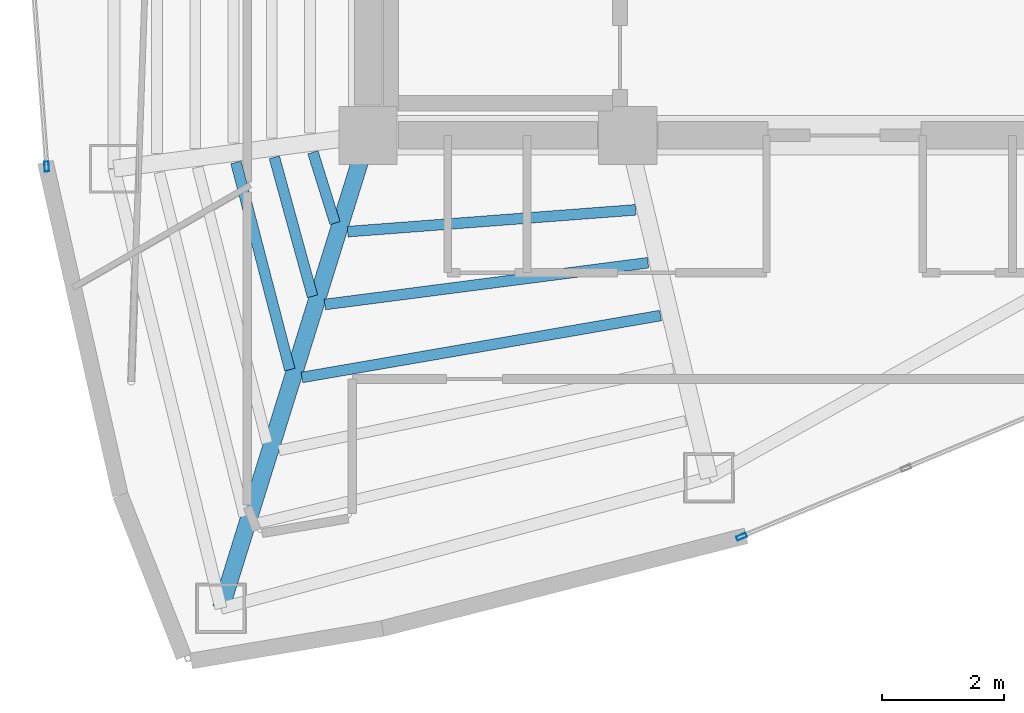
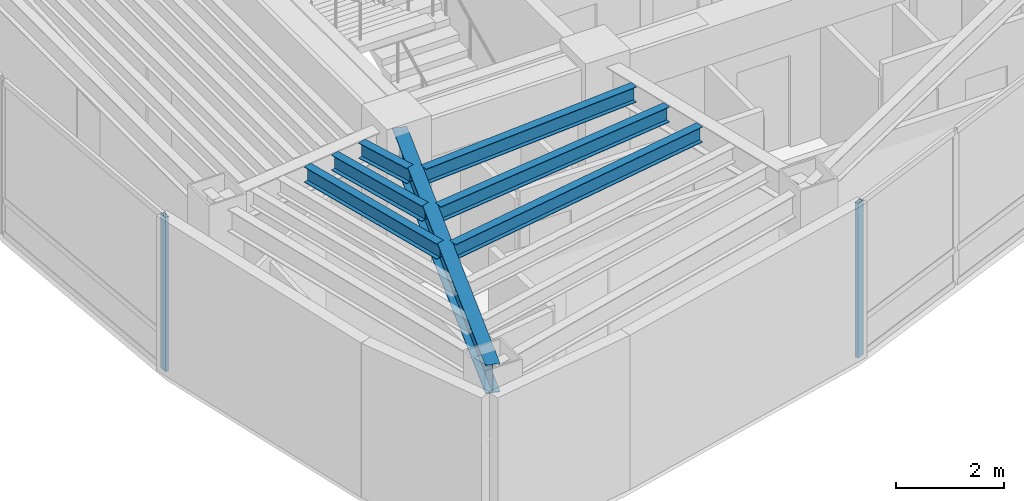
# One storey, part 2 of 16: 7 beams, 2 members, 2 elements without a shape of their own.
"""IFC4 building model written with IfcOpenShell, lengths in metres."""

from ifc_helpers import new_model, si_unit, direction, frame, origin, origin_2d, place, context, subcontext, project, spatial, hollow_rectangle, i_section, extrude, material, layer, layer_set, material_profile, profile_set, type_object, element, aggregate, save


model = new_model("IFC4")

# Units and contexts
model_context = context("Model", 3, precision=1e-05, world=origin(), true_north=direction((0.0, 1.0)))
body_context = subcontext(model_context, "Body", "Model", "MODEL_VIEW")
ifc_project = project(units=[si_unit("LENGTHUNIT", "METRE"), si_unit("AREAUNIT", "SQUARE_METRE"), si_unit("VOLUMEUNIT", "CUBIC_METRE"), si_unit("PLANEANGLEUNIT", "RADIAN"), si_unit("MASSUNIT", "GRAM", prefix="KILO")], contexts=[model_context])

# Site, building, storey
site_placement = place(None, origin())
site = spatial("IfcSite", under=ifc_project, at=site_placement, CompositionType="ELEMENT")
building_placement = place(site_placement, origin())
building = spatial("IfcBuilding", under=site, at=building_placement, Name="Menara Vayukalpa", CompositionType="ELEMENT")
storey_placement = place(building_placement, frame((0.0, 0.0, 280.6201171875)))
storey = spatial("IfcBuildingStorey", under=building, at=storey_placement, Name="L71", CompositionType="ELEMENT", Elevation=280.6201171875)

# Beams
ifc_material_1 = material(Name="Steel S355", Category="steel")
ifc_material_profile_1 = material_profile(ifc_material_1, i_section(OverallWidth=0.280029296875, OverallDepth=0.64990234375, WebThickness=0.012939453125, FlangeThickness=0.02197265625, at=origin_2d()), Name="WF 650x280x13x22")
ifc_profile_set_1 = profile_set([ifc_material_profile_1], Name="Steel S355")
beam_type_1 = type_object("IfcBeamType", Name="BM-PG6", PredefinedType="BEAM", material=ifc_profile_set_1)
beam_1_placement = place(storey_placement, frame((17.7255859375, 16.961181640625, 3.1748046875), z_axis=(-0.297213792842, -0.954810955815, 0.0), x_axis=(0.954810955815, -0.297213792842, 0.0)))
element("IfcBeam", 1, at=beam_1_placement, inside=storey, type_object=beam_type_1, Name="L71 Primary Radial Girder RG07", PredefinedType="BEAM", context=body_context, shape_type="SweptSolid", body=[
    extrude(i_section(OverallWidth=0.280029296875, OverallDepth=0.64990234375, WebThickness=0.012939453125, FlangeThickness=0.02197265625, at=origin_2d()), origin(), (0.0, 0.0, 1.0), 7.861083984375),
])
ifc_material_2 = material(Name="Steel S355", Category="steel")
ifc_material_profile_2 = material_profile(ifc_material_2, i_section(OverallWidth=0.175048828125, OverallDepth=0.35009765625, WebThickness=0.007080078125, FlangeThickness=0.010986328125, at=origin_2d()), Name="WF 350x175x7x11")
ifc_profile_set_2 = profile_set([ifc_material_profile_2], Name="Steel S355")
beam_type_2 = type_object("IfcBeamType", Name="BM-SJ3", PredefinedType="JOIST", material=ifc_profile_set_2)
beam_2_placement = place(storey_placement, frame((16.8955078125, 16.922119140625, 3.324951171875), z_axis=(0.297954442868, -0.954580090917, 0.0), x_axis=(0.954580090917, 0.297954442868, 0.0)))
element("IfcBeam", 2, at=beam_2_placement, inside=storey, type_object=beam_type_2, Name="L71 Secondary Floor Joist SJ06-1", PredefinedType="JOIST", context=body_context, shape_type="SweptSolid", body=[
    extrude(i_section(OverallWidth=0.175048828125, OverallDepth=0.35009765625, WebThickness=0.007080078125, FlangeThickness=0.010986328125, at=origin_2d()), origin(), (0.0, 0.0, 1.0), 1.21435546875),
])
beam_3_placement = place(storey_placement, frame((16.263916015625, 16.83837890625, 3.324951171875), z_axis=(0.264947201585, -0.96426292077, 0.0), x_axis=(0.96426292077, 0.264947201585, 0.0)))
element("IfcBeam", 3, at=beam_3_placement, inside=storey, type_object=beam_type_2, Name="L71 Secondary Floor Joist SJ06-2", PredefinedType="JOIST", context=body_context, shape_type="SweptSolid", body=[
    extrude(i_section(OverallWidth=0.175048828125, OverallDepth=0.35009765625, WebThickness=0.007080078125, FlangeThickness=0.010986328125, at=origin_2d()), origin(), (0.0, 0.0, 1.0), 2.35888671875),
])
beam_4_placement = place(storey_placement, frame((15.6357421875, 16.755615234375, 3.324951171875), z_axis=(0.251457685321, -0.967868292947, 0.0), x_axis=(0.967868292947, 0.251457685321, 0.0)))
element("IfcBeam", 4, at=beam_4_placement, inside=storey, type_object=beam_type_2, Name="L71 Secondary Floor Joist SJ06-3", PredefinedType="JOIST", context=body_context, shape_type="SweptSolid", body=[
    extrude(i_section(OverallWidth=0.175048828125, OverallDepth=0.35009765625, WebThickness=0.007080078125, FlangeThickness=0.010986328125, at=origin_2d()), origin(), (0.0, 0.0, 1.0), 3.5048828125),
])
beam_5_placement = place(storey_placement, frame((17.464599609375, 15.622314453125, 3.324951171875), z_axis=(0.997140447376, 0.075570683512, 0.0), x_axis=(-0.075570683512, 0.997140447376, 0.0)))
element("IfcBeam", 5, at=beam_5_placement, inside=storey, type_object=beam_type_2, Name="L71 Secondary Floor Joist SJ07-1", PredefinedType="JOIST", context=body_context, shape_type="SweptSolid", body=[
    extrude(i_section(OverallWidth=0.175048828125, OverallDepth=0.35009765625, WebThickness=0.007080078125, FlangeThickness=0.010986328125, at=origin_2d()), origin(), (0.0, 0.0, 1.0), 4.726318359375),
])
beam_6_placement = place(storey_placement, frame((17.08984375, 14.4296875, 3.324951171875), z_axis=(0.991761375414, 0.128099079766, 0.0), x_axis=(-0.128099079766, 0.991761375414, 0.0)))
element("IfcBeam", 6, at=beam_6_placement, inside=storey, type_object=beam_type_2, Name="L71 Secondary Floor Joist SJ07-2", PredefinedType="JOIST", context=body_context, shape_type="SweptSolid", body=[
    extrude(i_section(OverallWidth=0.175048828125, OverallDepth=0.35009765625, WebThickness=0.007080078125, FlangeThickness=0.010986328125, at=origin_2d()), origin(), (0.0, 0.0, 1.0), 5.33642578125),
])
beam_7_placement = place(storey_placement, frame((16.715087890625, 13.235595703125, 3.324951171875), z_axis=(0.985438818134, 0.170030396443, 0.0), x_axis=(-0.170030396443, 0.985438818134, 0.0)))
element("IfcBeam", 7, at=beam_7_placement, inside=storey, type_object=beam_type_2, Name="L71 Secondary Floor Joist SJ07-3", PredefinedType="JOIST", context=body_context, shape_type="SweptSolid", body=[
    extrude(i_section(OverallWidth=0.175048828125, OverallDepth=0.35009765625, WebThickness=0.007080078125, FlangeThickness=0.010986328125, at=origin_2d()), origin(), (0.0, 0.0, 1.0), 5.958740234375),
])

# Curtain wall, member
ifc_material_3 = material(Name="Anodised Terracotta Aluminium Alloy 6063-T6", Category="masonry")
ifc_layer = layer(ifc_material_3, 0.1650390625)
ifc_layer_set = layer_set([ifc_layer], Name="Anodised Terracotta Aluminium Alloy 6063-T6")
curtain_wall_type = type_object("IfcCurtainWallType", Name="CW-CW6", PredefinedType="USERDEFINED", material=ifc_layer_set)
curtain_wall_1_placement = place(storey_placement, origin())
curtain_wall_1 = element("IfcCurtainWall", 8, at=curtain_wall_1_placement, inside=storey, type_object=curtain_wall_type, Name="L71 Observation and Executive Curtain Wall CW6 11", ObjectType="UNITISED", PredefinedType="USERDEFINED")
ifc_material_4 = material(Name="Anodised Terracotta Aluminium Alloy 6063-T6", Category="masonry")
ifc_material_profile_3 = material_profile(ifc_material_4, hollow_rectangle(XDim=0.070068359375, YDim=0.1650390625, WallThickness=0.00390625, at=origin_2d()), Name="ALU 70x165x4")
ifc_profile_set_3 = profile_set([ifc_material_profile_3], Name="Anodised Terracotta Aluminium Alloy 6063-T6")
member_type = type_object("IfcMemberType", Name="CWM-CW6", PredefinedType="MULLION", material=ifc_profile_set_3)
member_1_placement = place(storey_placement, frame((12.536376953125, 16.688232421875, 0.0), z_axis=(0.0, 0.0, 1.0), x_axis=(0.997199344663, 0.074789484574, 0.0)))
member_1 = element("IfcMember", 9, at=member_1_placement, type_object=member_type, Name="CW6 mullion 2", PredefinedType="MULLION", context=body_context, shape_type="SweptSolid", body=[
    extrude(hollow_rectangle(XDim=0.070068359375, YDim=0.1650390625, WallThickness=0.00390625, at=origin_2d()), origin(), (0.0, 0.0, 1.0), 3.5),
])
aggregate(curtain_wall_1, [member_1])

curtain_wall_2_placement = place(storey_placement, origin())
curtain_wall_2 = element("IfcCurtainWall", 10, at=curtain_wall_2_placement, inside=storey, type_object=curtain_wall_type, Name="L71 Observation and Executive Curtain Wall CW6 16", ObjectType="UNITISED", PredefinedType="USERDEFINED")
member_2_placement = place(storey_placement, frame((23.913330078125, 10.62841796875, 0.0), z_axis=(0.0, 0.0, 1.0), x_axis=(-0.385899911703, 0.922540653927, 0.0)))
member_2 = element("IfcMember", 11, at=member_2_placement, type_object=member_type, Name="CW6 mullion 1", PredefinedType="MULLION", context=body_context, shape_type="SweptSolid", body=[
    extrude(hollow_rectangle(XDim=0.070068359375, YDim=0.1650390625, WallThickness=0.00390625, at=origin_2d()), origin(), (0.0, 0.0, 1.0), 3.5),
])
aggregate(curtain_wall_2, [member_2])

save(model, "model.ifc")
